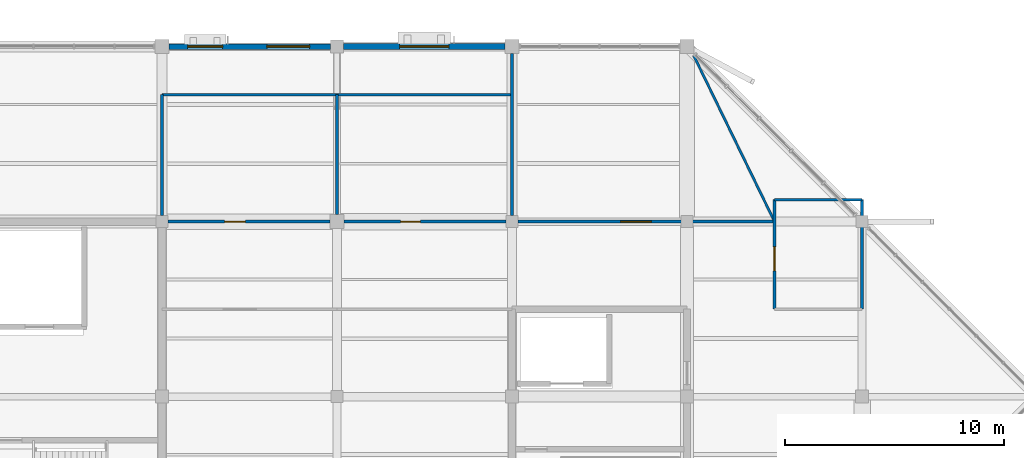
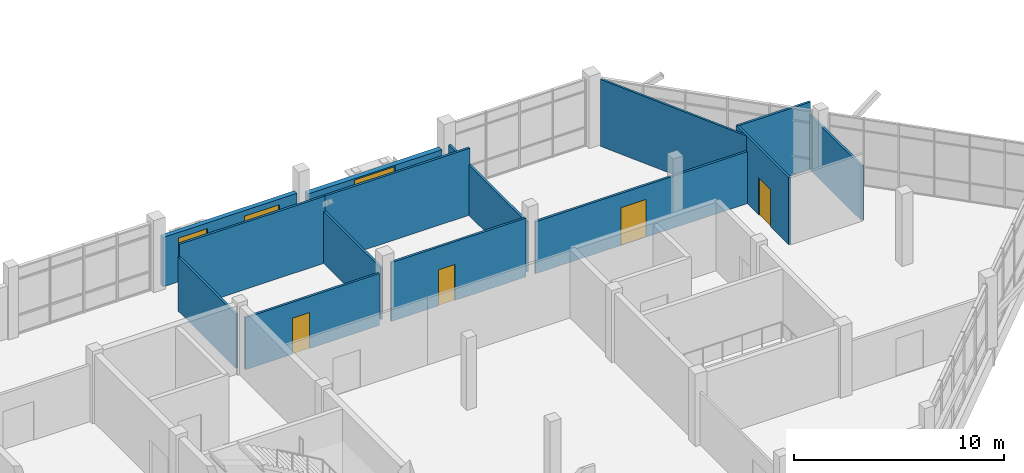
# One storey, part 66 of 72: 14 walls, 4 doors, 3 windows, 7 openings.
"""IFC4 building model written with IfcOpenShell, lengths in metres."""

import ifcopenshell
import ifcopenshell.guid

model = None  # the IFC model being written
_history = None  # IfcOwnerHistory: only IFC2X3 demands one
_inside = {}  # id of a spatial element -> (the spatial element, [elements in it])
_under = {}  # id of a project, library or spatial element -> (it, [spatial elements below it])
_declared = {}  # id of a project -> (the project, [libraries it declares])
_typed = {}  # id of a type object -> (the type object, [elements of that type])
_made_of = {}  # id of a material, layer set ... -> (it, [elements and type objects made of it])


def new_model(schema):
    """Start an empty IFC model of exactly this schema.

    Asked for "IFC4X3", IfcOpenShell would pick the latest addendum, in which some entities
    have other attributes; the version numbers below select the first issue.
    IFC2X3 requires an IfcOwnerHistory on every rooted entity: one is made here for all.
    """
    global model, _history
    if schema == "IFC4X3":
        model = ifcopenshell.file(schema_version=(4, 3, 0, 0))
    else:
        model = ifcopenshell.file(schema=schema)
    _inside.clear()
    _under.clear()
    _declared.clear()
    _typed.clear()
    _made_of.clear()
    _history = None
    if model.schema == "IFC2X3":
        org = make("IfcOrganization", Name="unknown")
        user = make(
            "IfcPersonAndOrganization",
            ThePerson=make("IfcPerson", FamilyName="unknown"),
            TheOrganization=org,
        )
        app = make(
            "IfcApplication",
            ApplicationDeveloper=org,
            Version="unknown",
            ApplicationFullName="unknown",
            ApplicationIdentifier="unknown",
        )
        _history = make(
            "IfcOwnerHistory",
            OwningUser=user,
            OwningApplication=app,
            ChangeAction="ADDED",
            CreationDate=0,
        )
    return model


def make(cls, **values):
    """One entity of the class cls with the attributes given. An attribute that is None is left unset."""
    return model.create_entity(
        cls, **{name: value for name, value in values.items() if value is not None}
    )


def rooted(cls, **values):
    """An entity with a GlobalId (a new one), such as an element, a storey or a relation."""
    return make(cls, GlobalId=ifcopenshell.guid.new(), OwnerHistory=_history, **values)


def si_unit(unit_type, name, prefix=None):
    """IfcSIUnit, for example si_unit("LENGTHUNIT", "METRE", prefix="MILLI")."""
    return make("IfcSIUnit", UnitType=unit_type, Prefix=prefix, Name=name)


def assignment(units):
    """IfcUnitAssignment: the units of a project."""
    return None if units is None else make("IfcUnitAssignment", Units=units)


def point(xyz):
    """IfcCartesianPoint."""
    return None if xyz is None else make("IfcCartesianPoint", Coordinates=xyz)


def direction(xyz):
    """IfcDirection."""
    return None if xyz is None else make("IfcDirection", DirectionRatios=xyz)


def frame(location, z_axis=None, x_axis=None):
    """IfcAxis2Placement3D, a coordinate frame: its origin and axes. An axis left out is left unset."""
    return make(
        "IfcAxis2Placement3D",
        Location=point(location),
        Axis=direction(z_axis),
        RefDirection=direction(x_axis),
    )


def frame_2d(location, x_axis=None):
    """IfcAxis2Placement2D, a coordinate frame in the plane: its origin and x axis."""
    return make(
        "IfcAxis2Placement2D", Location=point(location), RefDirection=direction(x_axis)
    )


def origin():
    """The frame at (0, 0, 0) with its axes left unset."""
    return frame((0.0, 0.0, 0.0))


def place(relative_to, where):
    """IfcLocalPlacement: puts the frame where relative to a parent placement (None: the world)."""
    return make(
        "IfcLocalPlacement", PlacementRelTo=relative_to, RelativePlacement=where
    )


def context(
    kind, dimensions, precision=None, world=None, true_north=None, identifier=None
):
    """IfcGeometricRepresentationContext, for example the 3D "Model" context."""
    return make(
        "IfcGeometricRepresentationContext",
        ContextIdentifier=identifier,
        ContextType=kind,
        CoordinateSpaceDimension=dimensions,
        Precision=precision,
        WorldCoordinateSystem=world,
        TrueNorth=true_north,
    )


def subcontext(parent, identifier, kind, view, scale=None):
    """IfcGeometricRepresentationSubContext, for example "Body" below "Model"."""
    return make(
        "IfcGeometricRepresentationSubContext",
        ContextIdentifier=identifier,
        ContextType=kind,
        ParentContext=parent,
        TargetScale=scale,
        TargetView=view,
    )


def project(units=None, contexts=None):
    """IfcProject with its units and contexts."""
    return rooted(
        "IfcProject",
        Name="project",
        RepresentationContexts=contexts,
        UnitsInContext=assignment(units),
    )


def spatial(cls, under=None, at=None, **own):
    """A site, building, storey or space (cls), placed at a placement, below another one or the project."""
    s = rooted(cls, ObjectPlacement=at, **own)
    if under is not None:
        _under.setdefault(under.id(), (under, []))[1].append(s)
    return s


def profile(cls, at=None, kind="AREA", **sizes):
    """A parametric profile (cls). Its sizes go by their IFC names, for example OverallWidth=200.0."""
    return make(cls, ProfileType=kind, Position=at, **sizes)


def rectangle(**sizes):
    """IfcRectangleProfileDef."""
    return profile("IfcRectangleProfileDef", **sizes)


def extrude(swept, where, along, depth):
    """IfcExtrudedAreaSolid: the profile swept, set in the frame where, extruded along a direction by depth."""
    return make(
        "IfcExtrudedAreaSolid",
        SweptArea=swept,
        Position=where,
        ExtrudedDirection=direction(along),
        Depth=depth,
    )


def shape(context_of_items, identifier, shape_type, items):
    """IfcShapeRepresentation: the items that make up one representation, for example the "Body"."""
    return make(
        "IfcShapeRepresentation",
        ContextOfItems=context_of_items,
        RepresentationIdentifier=identifier,
        RepresentationType=shape_type,
        Items=items,
    )


def material(Name=None, Category=None):
    """IfcMaterial."""
    return make("IfcMaterial", Name=Name, Category=Category)


def layer(
    of_material, thickness, ventilated=None, Name=None, Category=None, Priority=None
):
    """IfcMaterialLayer: one layer of a wall or slab, of a material (None: an air gap)."""
    return make(
        "IfcMaterialLayer",
        Material=of_material,
        LayerThickness=thickness,
        IsVentilated=ventilated,
        Name=Name,
        Category=Category,
        Priority=Priority,
    )


def layer_set(layers, Name=None):
    """IfcMaterialLayerSet."""
    return make("IfcMaterialLayerSet", MaterialLayers=layers, LayerSetName=Name)


def made_of(thing, what):
    """Note that an element or type object is made of a material, layer set ...; save() writes the relation."""
    if what is not None:
        _made_of.setdefault(what.id(), (what, []))[1].append(thing)
    return thing


def type_object(cls, material=None, **own):
    """A type object (cls), such as IfcWallType, which elements share."""
    return made_of(rooted(cls, **own), material)


def element(
    cls,
    number,
    at=None,
    inside=None,
    cuts=None,
    type_object=None,
    material=None,
    context=None,
    identifier="Body",
    shape_type=None,
    held_by="IfcProductDefinitionShape",
    body=None,
    shapes=None,
    **own,
):
    """One element of the class cls, such as IfcWall. Its Tag is "e" and its number.

    at: its placement. inside: the storey or other place that contains it. cuts: it is an
    opening in that element (IfcRelVoidsElement). A single representation is given by context,
    identifier, shape_type and body (its items); several are given by shapes. held_by: the class
    of the entity that holds the representations. save() writes the other relations.
    """
    e = rooted(cls, Tag="e%d" % number, ObjectPlacement=at, **own)
    if body is not None:
        shapes = [shape(context, identifier, shape_type, body)]
    if shapes is not None:
        e.Representation = make(held_by, Representations=shapes)
    if inside is not None:
        _inside.setdefault(inside.id(), (inside, []))[1].append(e)
    if cuts is not None:
        rooted(
            "IfcRelVoidsElement", RelatingBuildingElement=cuts, RelatedOpeningElement=e
        )
    if type_object is not None:
        _typed.setdefault(type_object.id(), (type_object, []))[1].append(e)
    return made_of(e, material)


def fill(opening, filler):
    """IfcRelFillsElement: the door or window that sits in an opening."""
    return rooted(
        "IfcRelFillsElement",
        RelatingOpeningElement=opening,
        RelatedBuildingElement=filler,
    )


def aggregate(whole, parts):
    """IfcRelAggregates: a whole, such as a stair, and the parts it consists of."""
    return rooted("IfcRelAggregates", RelatingObject=whole, RelatedObjects=parts)


def save(model, path):
    """Write the relations noted so far, then the file.

    IfcRelAggregates (storeys below a building ...), IfcRelContainedInSpatialStructure (elements
    in a storey), IfcRelDefinesByType, IfcRelAssociatesMaterial and IfcRelDeclares: one each for
    every whole, place, type object, material and project.
    """
    for whole, parts in _under.values():
        aggregate(whole, parts)
    for where, things in _inside.values():
        rooted(
            "IfcRelContainedInSpatialStructure",
            RelatedElements=things,
            RelatingStructure=where,
        )
    for kind, things in _typed.values():
        rooted("IfcRelDefinesByType", RelatedObjects=things, RelatingType=kind)
    for what, things in _made_of.values():
        rooted("IfcRelAssociatesMaterial", RelatedObjects=things, RelatingMaterial=what)
    for by, libraries in _declared.values():
        rooted("IfcRelDeclares", RelatingContext=by, RelatedDefinitions=libraries)
    model.write(path)


model = new_model("IFC4")

# Units and contexts
model_context = context("Model", 3, precision=1e-05, world=origin(), true_north=direction((0.0, 1.0)))
body_context = subcontext(model_context, "Body", "Model", "MODEL_VIEW")
ifc_project = project(units=[si_unit("LENGTHUNIT", "METRE"), si_unit("AREAUNIT", "SQUARE_METRE"), si_unit("VOLUMEUNIT", "CUBIC_METRE"), si_unit("PLANEANGLEUNIT", "RADIAN"), si_unit("MASSUNIT", "GRAM", prefix="KILO")], contexts=[model_context])

# Site, building, storey
site_placement = place(None, origin())
site = spatial("IfcSite", under=ifc_project, at=site_placement, CompositionType="ELEMENT")
building_placement = place(site_placement, origin())
building = spatial("IfcBuilding", under=site, at=building_placement, Name="Tenunan Teduh Sports Hall", CompositionType="ELEMENT")
storey_placement = place(building_placement, frame((0.0, 0.0, 15.0)))
storey = spatial("IfcBuildingStorey", under=building, at=storey_placement, Name="L03", CompositionType="ELEMENT", Elevation=15.0)

# Wall, openings, windows
ifc_material_1 = material(Name="Precast concrete C40/50", Category="concrete")
ifc_layer_1 = layer(ifc_material_1, 0.25)
ifc_layer_set_1 = layer_set([ifc_layer_1], Name="Precast concrete C40/50")
wall_type_1 = type_object("IfcWallType", Name="WL-EXT-250", PredefinedType="SOLIDWALL", material=ifc_layer_set_1)
wall_1_placement = place(storey_placement, frame((38.324951171875, 118.0, 0.0), z_axis=(0.0, 0.0, 1.0), x_axis=(1.0, 0.0, 0.0)))
wall_1 = element("IfcWall", 1, at=wall_1_placement, inside=storey, type_object=wall_type_1, Name="WL-EXT-L03-203", PredefinedType="SOLIDWALL", context=body_context, shape_type="SweptSolid", body=[
    extrude(rectangle(XDim=7.375, YDim=0.25, at=frame_2d((3.6875, 0.0))), origin(), (0.0, 0.0, 1.0), 2.8798828125),
])
opening_1_placement = place(wall_1_placement, frame((0.85009765625, 0.0, 0.550048828125)))
opening_1 = element("IfcOpeningElement", 2, at=opening_1_placement, cuts=wall_1, Name="Opening W-14", PredefinedType="OPENING", context=body_context, shape_type="SweptSolid", body=[
    extrude(rectangle(XDim=1.60009765625, YDim=2.0, at=frame_2d((0.800048828125, 1.0))), frame((0.0, 0.135009765625, 0.0), z_axis=(0.0, -1.0, 0.0), x_axis=(1.0, 0.0, 0.0)), (0.0, 0.0, 1.0), 0.27001953125),
])
opening_2_placement = place(wall_1_placement, frame((4.469970703125, 0.0, 0.699951171875)))
opening_2 = element("IfcOpeningElement", 3, at=opening_2_placement, cuts=wall_1, Name="Opening W-20", PredefinedType="OPENING", context=body_context, shape_type="SweptSolid", body=[
    extrude(rectangle(XDim=1.949951171875, YDim=1.85009765625, at=frame_2d((0.97509765625, 0.925048828125))), frame((0.0, 0.135009765625, 0.0), z_axis=(0.0, -1.0, 0.0), x_axis=(1.0, 0.0, 0.0)), (0.0, 0.0, 1.0), 0.27001953125),
])
ifc_material_2 = material(Name="Thermally broken aluminium and Low-E glazing", Category="aluminium")
window_type_1 = type_object("IfcWindowType", Name="WIN-14", PartitioningType="DOUBLE_PANEL_VERTICAL", PredefinedType="WINDOW", material=ifc_material_2)
window_1_placement = place(opening_1_placement, origin())
window_1 = element("IfcWindow", 4, at=window_1_placement, inside=storey, type_object=window_type_1, Name="WIN-L03-101", OverallHeight=2.0, OverallWidth=1.60009765625, PartitioningType="SINGLE_PANEL", PredefinedType="WINDOW", context=body_context, shape_type="SweptSolid", body=[
    extrude(rectangle(XDim=1.60009765625, YDim=2.0, at=frame_2d((0.800048828125, 1.0))), frame((0.0, 0.030029296875, 0.0), z_axis=(0.0, -1.0, 0.0), x_axis=(1.0, 0.0, 0.0)), (0.0, 0.0, 1.0), 0.06005859375),
])
fill(opening_1, window_1)
ifc_material_3 = material(Name="Thermally broken aluminium and Low-E glazing", Category="aluminium")
window_type_2 = type_object("IfcWindowType", Name="WIN-20", PartitioningType="DOUBLE_PANEL_VERTICAL", PredefinedType="WINDOW", material=ifc_material_3)
window_2_placement = place(opening_2_placement, origin())
window_2 = element("IfcWindow", 5, at=window_2_placement, inside=storey, type_object=window_type_2, Name="WIN-L03-102", OverallHeight=1.85009765625, OverallWidth=1.949951171875, PartitioningType="SINGLE_PANEL", PredefinedType="WINDOW", context=body_context, shape_type="SweptSolid", body=[
    extrude(rectangle(XDim=1.949951171875, YDim=1.85009765625, at=frame_2d((0.97509765625, 0.925048828125))), frame((0.0, 0.030029296875, 0.0), z_axis=(0.0, -1.0, 0.0), x_axis=(1.0, 0.0, 0.0)), (0.0, 0.0, 1.0), 0.06005859375),
])
fill(opening_2, window_2)

# Wall, opening, window
ifc_material_4 = material(Name="Concrete C40/50", Category="concrete")
ifc_layer_2 = layer(ifc_material_4, 0.280029296875)
ifc_layer_set_2 = layer_set([ifc_layer_2], Name="Concrete C40/50")
wall_type_2 = type_object("IfcWallType", Name="WL-EXT-280", PredefinedType="SOLIDWALL", material=ifc_layer_set_2)
wall_2_placement = place(storey_placement, frame((46.300048828125, 118.0, 0.0), z_axis=(0.0, 0.0, 1.0), x_axis=(1.0, 0.0, 0.0)))
wall_2 = element("IfcWall", 6, at=wall_2_placement, inside=storey, type_object=wall_type_2, Name="WL-EXT-L03-204", PredefinedType="SOLIDWALL", context=body_context, shape_type="SweptSolid", body=[
    extrude(rectangle(XDim=7.375, YDim=0.280029296875, at=frame_2d((3.6875, 0.0))), origin(), (0.0, 0.0, 1.0), 2.6298828125),
])
opening_3_placement = place(wall_2_placement, frame((2.56005859375, 0.0, 0.699951171875)))
opening_3 = element("IfcOpeningElement", 7, at=opening_3_placement, cuts=wall_2, Name="Opening W-21", PredefinedType="OPENING", context=body_context, shape_type="SweptSolid", body=[
    extrude(rectangle(XDim=2.25, YDim=1.85009765625, at=frame_2d((1.125, 0.925048828125))), frame((0.0, 0.14990234375, 0.0), z_axis=(0.0, -1.0, 0.0), x_axis=(1.0, 0.0, 0.0)), (0.0, 0.0, 1.0), 0.300048828125),
])
ifc_material_5 = material(Name="Thermally broken aluminium and Low-E glazing", Category="aluminium")
window_type_3 = type_object("IfcWindowType", Name="WIN-21", PartitioningType="TRIPLE_PANEL_VERTICAL", PredefinedType="WINDOW", material=ifc_material_5)
window_3_placement = place(opening_3_placement, origin())
window_3 = element("IfcWindow", 8, at=window_3_placement, inside=storey, type_object=window_type_3, Name="WIN-L03-103", OverallHeight=1.85009765625, OverallWidth=2.25, PartitioningType="SINGLE_PANEL", PredefinedType="WINDOW", context=body_context, shape_type="SweptSolid", body=[
    extrude(rectangle(XDim=2.25, YDim=1.85009765625, at=frame_2d((1.125, 0.925048828125))), frame((0.0, 0.030029296875, 0.0), z_axis=(0.0, -1.0, 0.0), x_axis=(1.0, 0.0, 0.0)), (0.0, 0.0, 1.0), 0.06005859375),
])
fill(opening_3, window_3)

# Walls
ifc_material_6 = material(Name="Lightweight steel stud partition", Category="steel")
ifc_layer_3 = layer(ifc_material_6, 0.110107421875)
ifc_layer_set_3 = layer_set([ifc_layer_3], Name="Lightweight steel stud partition")
wall_type_3 = type_object("IfcWallType", Name="WL-PRT-110", PredefinedType="PARTITIONING", material=ifc_layer_set_3)
wall_3_placement = place(storey_placement, frame((66.0, 110.0, 0.0), z_axis=(0.0, 0.0, 1.0), x_axis=(-0.437715033668, 0.899113757709, 0.0)))
element("IfcWall", 9, at=wall_3_placement, inside=storey, type_object=wall_type_3, Name="WL-PRT-L03-465", PredefinedType="PARTITIONING", context=body_context, shape_type="SweptSolid", body=[
    extrude(rectangle(XDim=8.452880859375, YDim=0.110107421875, at=frame_2d((4.2265625, 0.0))), origin(), (0.0, 0.0, 1.0), 3.89990234375),
])
ifc_material_7 = material(Name="Moisture-resistant masonry", Category="masonry")
ifc_layer_4 = layer(ifc_material_7, 0.125)
ifc_layer_set_4 = layer_set([ifc_layer_4], Name="Moisture-resistant masonry")
wall_type_4 = type_object("IfcWallType", Name="WL-PRT-125", PredefinedType="PARTITIONING", material=ifc_layer_set_4)
wall_4_placement = place(storey_placement, frame((38.0, 110.27490234375, 0.0), z_axis=(0.0, 0.0, 1.0), x_axis=(0.0, 1.0, 0.0)))
element("IfcWall", 10, at=wall_4_placement, inside=storey, type_object=wall_type_4, Name="WL-PRT-L03-448", PredefinedType="PARTITIONING", context=body_context, shape_type="SweptSolid", body=[
    extrude(rectangle(XDim=5.525146484375, YDim=0.125, at=frame_2d((2.7626953125, 0.0))), origin(), (0.0, 0.0, 1.0), 3.14990234375),
])

# Wall, opening, door
wall_5_placement = place(storey_placement, frame((38.27490234375, 110.0, 0.0), z_axis=(0.0, 0.0, 1.0), x_axis=(1.0, 0.0, 0.0)))
wall_5 = element("IfcWall", 11, at=wall_5_placement, inside=storey, type_object=wall_type_4, Name="WL-PRT-L03-452", PredefinedType="PARTITIONING", context=body_context, shape_type="SweptSolid", body=[
    extrude(rectangle(XDim=7.400146484375, YDim=0.125, at=frame_2d((3.7001953125, 0.0))), origin(), (0.0, 0.0, 1.0), 3.030029296875),
])
opening_4_placement = place(wall_5_placement, frame((2.590087890625, 0.0, 0.0)))
opening_4 = element("IfcOpeningElement", 12, at=opening_4_placement, cuts=wall_5, Name="Opening ID-01", PredefinedType="OPENING", context=body_context, shape_type="SweptSolid", body=[
    extrude(rectangle(XDim=0.949951171875, YDim=2.10009765625, at=frame_2d((0.47509765625, 1.050048828125))), frame((0.0, 0.072509765625, 0.0), z_axis=(0.0, -1.0, 0.0), x_axis=(1.0, 0.0, 0.0)), (0.0, 0.0, 1.0), 0.14501953125),
])
ifc_material_8 = material(Name="Solid-core laminate timber", Category="wood")
door_type_1 = type_object("IfcDoorType", Name="IDR-01", OperationType="SINGLE_SWING_LEFT", PredefinedType="DOOR", material=ifc_material_8)
door_1_placement = place(opening_4_placement, frame((0.949951171875, 0.0, 0.0), z_axis=(0.0, 0.0, 1.0), x_axis=(-1.0, 0.0, 0.0)))
door_1 = element("IfcDoor", 13, at=door_1_placement, inside=storey, type_object=door_type_1, Name="DR-INT-L03-175", OperationType="SINGLE_SWING_RIGHT", OverallHeight=2.10009765625, OverallWidth=0.949951171875, PredefinedType="DOOR", context=body_context, shape_type="SweptSolid", body=[
    extrude(rectangle(XDim=0.949951171875, YDim=2.10009765625, at=frame_2d((0.47509765625, 1.050048828125))), frame((0.0, 0.02490234375, 0.0), z_axis=(0.0, -1.0, 0.0), x_axis=(1.0, 0.0, 0.0)), (0.0, 0.0, 1.0), 0.050048828125),
])
fill(opening_4, door_1)

wall_6_placement = place(storey_placement, frame((46.324951171875, 110.0, 0.0), z_axis=(0.0, 0.0, 1.0), x_axis=(1.0, 0.0, 0.0)))
wall_6 = element("IfcWall", 14, at=wall_6_placement, inside=storey, type_object=wall_type_4, Name="WL-PRT-L03-453", PredefinedType="PARTITIONING", context=body_context, shape_type="SweptSolid", body=[
    extrude(rectangle(XDim=7.400146484375, YDim=0.125, at=frame_2d((3.7001953125, 0.0))), origin(), (0.0, 0.0, 1.0), 3.429931640625),
])
opening_5_placement = place(wall_6_placement, frame((2.590087890625, 0.0, 0.0)))
opening_5 = element("IfcOpeningElement", 15, at=opening_5_placement, cuts=wall_6, Name="Opening ID-02", PredefinedType="OPENING", context=body_context, shape_type="SweptSolid", body=[
    extrude(rectangle(XDim=0.89990234375, YDim=2.10009765625, at=frame_2d((0.449951171875, 1.050048828125))), frame((0.0, 0.072509765625, 0.0), z_axis=(0.0, -1.0, 0.0), x_axis=(1.0, 0.0, 0.0)), (0.0, 0.0, 1.0), 0.14501953125),
])
ifc_material_9 = material(Name="Moisture-resistant HPL leaf")
door_type_2 = type_object("IfcDoorType", Name="IDR-02", OperationType="SINGLE_SWING_RIGHT", PredefinedType="DOOR", material=ifc_material_9)
door_2_placement = place(opening_5_placement, frame((0.89990234375, 0.0, 0.0), z_axis=(0.0, 0.0, 1.0), x_axis=(-1.0, 0.0, 0.0)))
door_2 = element("IfcDoor", 16, at=door_2_placement, inside=storey, type_object=door_type_2, Name="DR-INT-L03-176", OperationType="SINGLE_SWING_RIGHT", OverallHeight=2.10009765625, OverallWidth=0.89990234375, PredefinedType="DOOR", context=body_context, shape_type="SweptSolid", body=[
    extrude(rectangle(XDim=0.89990234375, YDim=2.10009765625, at=frame_2d((0.449951171875, 1.050048828125))), frame((0.0, 0.02490234375, 0.0), z_axis=(0.0, -1.0, 0.0), x_axis=(1.0, 0.0, 0.0)), (0.0, 0.0, 1.0), 0.050048828125),
])
fill(opening_5, door_2)

wall_7_placement = place(storey_placement, frame((54.27490234375, 110.0, 0.0), z_axis=(0.0, 0.0, 1.0), x_axis=(1.0, 0.0, 0.0)))
wall_7 = element("IfcWall", 17, at=wall_7_placement, inside=storey, type_object=wall_type_4, Name="WL-PRT-L03-454", PredefinedType="PARTITIONING", context=body_context, shape_type="SweptSolid", body=[
    extrude(rectangle(XDim=11.72509765625, YDim=0.125, at=frame_2d((5.862548828125, 0.0))), origin(), (0.0, 0.0, 1.0), 3.030029296875),
])
opening_6_placement = place(wall_7_placement, frame((4.68994140625, 0.0, 0.0)))
opening_6 = element("IfcOpeningElement", 18, at=opening_6_placement, cuts=wall_7, Name="Opening ID-10", PredefinedType="OPENING", context=body_context, shape_type="SweptSolid", body=[
    extrude(rectangle(XDim=1.39990234375, YDim=2.199951171875, at=frame_2d((0.699951171875, 1.10009765625))), frame((0.0, 0.072509765625, 0.0), z_axis=(0.0, -1.0, 0.0), x_axis=(1.0, 0.0, 0.0)), (0.0, 0.0, 1.0), 0.14501953125),
])
ifc_material_10 = material(Name="Lab double leaf")
door_type_3 = type_object("IfcDoorType", Name="IDR-10", OperationType="DOUBLE_DOOR_SINGLE_SWING", PredefinedType="DOOR", material=ifc_material_10)
door_3_placement = place(opening_6_placement, frame((1.39990234375, 0.0, 0.0), z_axis=(0.0, 0.0, 1.0), x_axis=(-1.0, 0.0, 0.0)))
door_3 = element("IfcDoor", 19, at=door_3_placement, inside=storey, type_object=door_type_3, Name="DR-INT-L03-177", OperationType="DOUBLE_DOOR_SINGLE_SWING", OverallHeight=2.199951171875, OverallWidth=1.39990234375, PredefinedType="DOOR", context=body_context, shape_type="SweptSolid", body=[
    extrude(rectangle(XDim=1.39990234375, YDim=2.199951171875, at=frame_2d((0.699951171875, 1.10009765625))), frame((0.0, 0.02490234375, 0.0), z_axis=(0.0, -1.0, 0.0), x_axis=(1.0, 0.0, 0.0)), (0.0, 0.0, 1.0), 0.050048828125),
])
fill(opening_6, door_3)

# Walls
for number, where, z_axis, x_axis, name in (
    (20, (38.0, 115.800048828125, 0.0), (0.0, 0.0, 1.0), (1.0, 0.0, 0.0), "WL-PRT-L03-455"),
    (21, (46.0, 115.800048828125, 0.0), (0.0, 0.0, 1.0), (1.0, 0.0, 0.0), "WL-PRT-L03-456"),
):
    element("IfcWall", number, at=place(storey_placement, frame(where, z_axis=z_axis, x_axis=x_axis)), inside=storey, type_object=wall_type_4, Name=name, PredefinedType="PARTITIONING", context=body_context, shape_type="SweptSolid", body=[
        extrude(rectangle(XDim=8.0, YDim=0.125, at=frame_2d((4.0, 0.0))), origin(), (0.0, 0.0, 1.0), 3.89990234375),
    ])
wall_8_placement = place(storey_placement, frame((46.0, 110.324951171875, 0.0), z_axis=(0.0, 0.0, 1.0), x_axis=(0.0, 1.0, 0.0)))
element("IfcWall", 22, at=wall_8_placement, inside=storey, type_object=wall_type_4, Name="WL-PRT-L03-457", PredefinedType="PARTITIONING", context=body_context, shape_type="SweptSolid", body=[
    extrude(rectangle(XDim=5.47509765625, YDim=0.125, at=frame_2d((2.737548828125, 0.0))), origin(), (0.0, 0.0, 1.0), 3.030029296875),
])
wall_9_placement = place(storey_placement, frame((54.0, 110.27490234375, 0.0), z_axis=(0.0, 0.0, 1.0), x_axis=(0.0, 1.0, 0.0)))
element("IfcWall", 23, at=wall_9_placement, inside=storey, type_object=wall_type_4, Name="WL-PRT-L03-458", PredefinedType="PARTITIONING", context=body_context, shape_type="SweptSolid", body=[
    extrude(rectangle(XDim=7.400146484375, YDim=0.125, at=frame_2d((3.7001953125, 0.0))), origin(), (0.0, 0.0, 1.0), 2.929931640625),
])

# Wall, opening, door
wall_10_placement = place(storey_placement, frame((66.0, 106.0, 0.0), z_axis=(0.0, 0.0, 1.0), x_axis=(0.0, 1.0, 0.0)))
wall_10 = element("IfcWall", 24, at=wall_10_placement, inside=storey, type_object=wall_type_4, Name="WL-PRT-L03-459", PredefinedType="PARTITIONING", context=body_context, shape_type="SweptSolid", body=[
    extrude(rectangle(XDim=5.0, YDim=0.125, at=frame_2d((2.5, 0.0))), origin(), (0.0, 0.0, 1.0), 3.89990234375),
])
opening_7_placement = place(wall_10_placement, frame((1.75, 0.0, 0.0)))
opening_7 = element("IfcOpeningElement", 25, at=opening_7_placement, cuts=wall_10, Name="Opening ID-06", PredefinedType="OPENING", context=body_context, shape_type="SweptSolid", body=[
    extrude(rectangle(XDim=1.10009765625, YDim=2.14990234375, at=frame_2d((0.550048828125, 1.074951171875))), frame((0.0, 0.072509765625, 0.0), z_axis=(0.0, -1.0, 0.0), x_axis=(1.0, 0.0, 0.0)), (0.0, 0.0, 1.0), 0.14501953125),
])
ifc_material_11 = material(Name="Accessible pocket sliding leaf")
door_type_4 = type_object("IfcDoorType", Name="IDR-06", OperationType="SLIDING_TO_RIGHT", PredefinedType="DOOR", material=ifc_material_11)
door_4_placement = place(opening_7_placement, frame((1.10009765625, 0.0, 0.0), z_axis=(0.0, 0.0, 1.0), x_axis=(-1.0, 0.0, 0.0)))
door_4 = element("IfcDoor", 26, at=door_4_placement, inside=storey, type_object=door_type_4, Name="DR-INT-L03-178", OperationType="SLIDING_TO_RIGHT", OverallHeight=2.14990234375, OverallWidth=1.10009765625, PredefinedType="DOOR", context=body_context, shape_type="SweptSolid", body=[
    extrude(rectangle(XDim=1.10009765625, YDim=2.14990234375, at=frame_2d((0.550048828125, 1.074951171875))), frame((0.0, 0.02490234375, 0.0), z_axis=(0.0, -1.0, 0.0), x_axis=(1.0, 0.0, 0.0)), (0.0, 0.0, 1.0), 0.050048828125),
])
fill(opening_7, door_4)

# Walls
wall_11_placement = place(storey_placement, frame((70.0, 106.0, 0.0), z_axis=(0.0, 0.0, 1.0), x_axis=(0.0, 1.0, 0.0)))
element("IfcWall", 27, at=wall_11_placement, inside=storey, type_object=wall_type_4, Name="WL-PRT-L03-460", PredefinedType="PARTITIONING", context=body_context, shape_type="SweptSolid", body=[
    extrude(rectangle(XDim=5.0, YDim=0.125, at=frame_2d((2.5, 0.0))), origin(), (0.0, 0.0, 1.0), 3.179931640625),
])
wall_12_placement = place(storey_placement, frame((66.0, 111.0, 0.0), z_axis=(0.0, 0.0, 1.0), x_axis=(1.0, 0.0, 0.0)))
element("IfcWall", 28, at=wall_12_placement, inside=storey, type_object=wall_type_4, Name="WL-PRT-L03-461", PredefinedType="PARTITIONING", context=body_context, shape_type="SweptSolid", body=[
    extrude(rectangle(XDim=4.0, YDim=0.125, at=frame_2d((2.0, 0.0))), origin(), (0.0, 0.0, 1.0), 3.89990234375),
])

save(model, "model.ifc")
